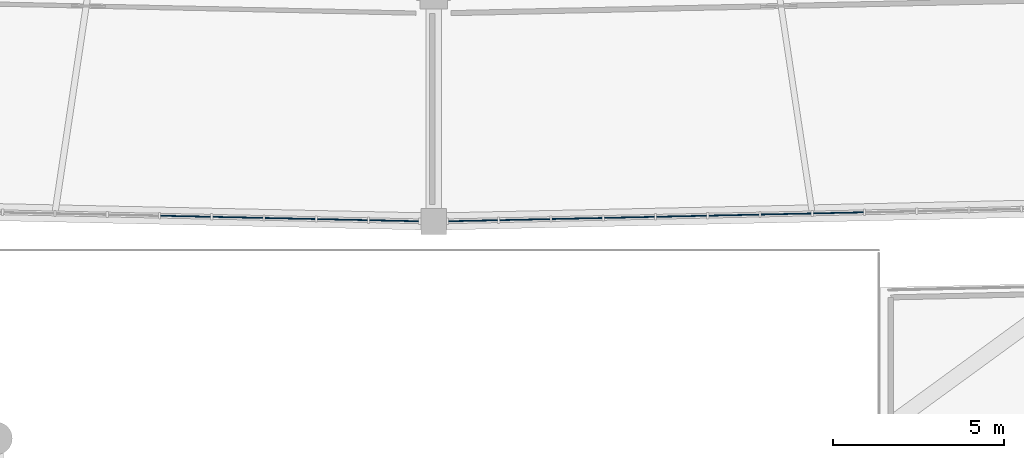
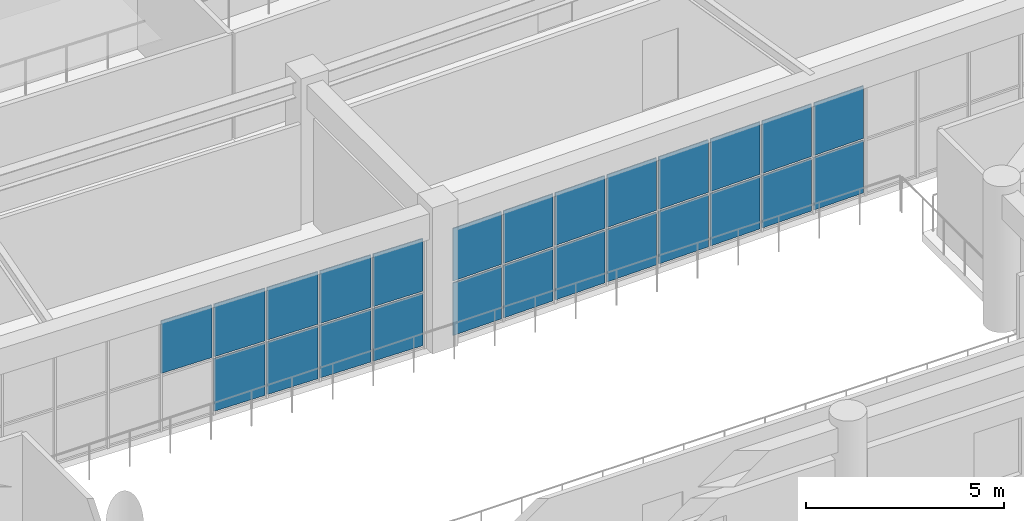
# One storey, part 74 of 141: 25 plates, 2 elements without a shape of their own.
"""IFC4 building model written with IfcOpenShell, lengths in metres."""

from ifc_helpers import new_model, si_unit, direction, frame, origin, origin_2d, place, context, subcontext, project, spatial, rectangle, extrude, material, layer, layer_set, type_object, element, aggregate, save


model = new_model("IFC4")

# Units and contexts
model_context = context("Model", 3, precision=1e-05, world=origin(), true_north=direction((0.0, 1.0)))
body_context = subcontext(model_context, "Body", "Model", "MODEL_VIEW")
ifc_project = project(units=[si_unit("LENGTHUNIT", "METRE"), si_unit("AREAUNIT", "SQUARE_METRE"), si_unit("VOLUMEUNIT", "CUBIC_METRE"), si_unit("PLANEANGLEUNIT", "RADIAN"), si_unit("MASSUNIT", "GRAM", prefix="KILO")], contexts=[model_context])

# Site, building, storey
site_placement = place(None, origin())
site = spatial("IfcSite", under=ifc_project, at=site_placement, CompositionType="ELEMENT")
building_placement = place(site_placement, origin())
building = spatial("IfcBuilding", under=site, at=building_placement, Name="Mphavela Belvedere Stadium", CompositionType="ELEMENT")
storey_placement = place(building_placement, frame((0.0, 0.0, 14.699951171875)))
storey = spatial("IfcBuildingStorey", under=building, at=storey_placement, Name="L03", CompositionType="ELEMENT", Elevation=14.699951171875)

# Curtain wall, plates
ifc_material_1 = material(Name="Anodised bronze unitised curtain wall framing")
ifc_layer_1 = layer(ifc_material_1, 0.205078125)
ifc_layer_set_1 = layer_set([ifc_layer_1], Name="Anodised bronze unitised curtain wall framing")
curtain_wall_type_1 = type_object("IfcCurtainWallType", Name="CW-UNIT-06", PredefinedType="USERDEFINED", material=ifc_layer_set_1)
curtain_wall_1_placement = place(storey_placement, origin())
curtain_wall_1 = element("IfcCurtainWall", 1, at=curtain_wall_1_placement, inside=storey, type_object=curtain_wall_type_1, Name="Belvedere colonnade curtain wall L03-36", ObjectType="UNITISED CURTAIN WALL", PredefinedType="USERDEFINED")
ifc_material_2 = material(Name="Solar-control double glazing", Category="glass")
ifc_layer_2 = layer(ifc_material_2, 0.031982421875)
ifc_layer_set_2 = layer_set([ifc_layer_2], Name="Solar-control double glazing")
plate_type = type_object("IfcPlateType", Name="CWP-SOLAR-GLASS", PredefinedType="CURTAIN_PANEL", material=ifc_layer_set_2)
plate_1_placement = place(storey_placement, frame((107.758544921875, 13.48583984375, 1.739990234375), z_axis=(0.0, 0.0, 1.0), x_axis=(0.999768179453, -0.02153107878, 0.0)))
plate_1 = element("IfcPlate", 2, at=plate_1_placement, type_object=plate_type, Name="CW-06 panel 10.2", PredefinedType="CURTAIN_PANEL", context=body_context, shape_type="SweptSolid", body=[
    extrude(rectangle(XDim=1.461669921875, YDim=0.031982421875, at=origin_2d()), origin(), (0.0, 0.0, 1.0), 1.6201171875),
])
plate_2_placement = place(storey_placement, frame((109.284912109375, 13.453125, 0.06005859375), z_axis=(0.0, 0.0, 1.0), x_axis=(0.999768179453, -0.02153107878, 0.0)))
plate_2 = element("IfcPlate", 3, at=plate_2_placement, type_object=plate_type, Name="CW-06 panel 11.1", PredefinedType="CURTAIN_PANEL", context=body_context, shape_type="SweptSolid", body=[
    extrude(rectangle(XDim=1.461669921875, YDim=0.031982421875, at=origin_2d()), origin(), (0.0, 0.0, 1.0), 1.6201171875),
])
plate_3_placement = place(storey_placement, frame((109.284912109375, 13.453125, 1.739990234375), z_axis=(0.0, 0.0, 1.0), x_axis=(0.999768179453, -0.02153107878, 0.0)))
plate_3 = element("IfcPlate", 4, at=plate_3_placement, type_object=plate_type, Name="CW-06 panel 11.2", PredefinedType="CURTAIN_PANEL", context=body_context, shape_type="SweptSolid", body=[
    extrude(rectangle(XDim=1.461669921875, YDim=0.031982421875, at=origin_2d()), origin(), (0.0, 0.0, 1.0), 1.6201171875),
])
plate_4_placement = place(storey_placement, frame((110.811279296875, 13.420166015625, 0.06005859375), z_axis=(0.0, 0.0, 1.0), x_axis=(0.999768179453, -0.02153107878, 0.0)))
plate_4 = element("IfcPlate", 5, at=plate_4_placement, type_object=plate_type, Name="CW-06 panel 12.1", PredefinedType="CURTAIN_PANEL", context=body_context, shape_type="SweptSolid", body=[
    extrude(rectangle(XDim=1.461669921875, YDim=0.031982421875, at=origin_2d()), origin(), (0.0, 0.0, 1.0), 1.6201171875),
])
plate_5_placement = place(storey_placement, frame((110.811279296875, 13.420166015625, 1.739990234375), z_axis=(0.0, 0.0, 1.0), x_axis=(0.999768179453, -0.02153107878, 0.0)))
plate_5 = element("IfcPlate", 6, at=plate_5_placement, type_object=plate_type, Name="CW-06 panel 12.2", PredefinedType="CURTAIN_PANEL", context=body_context, shape_type="SweptSolid", body=[
    extrude(rectangle(XDim=1.461669921875, YDim=0.031982421875, at=origin_2d()), origin(), (0.0, 0.0, 1.0), 1.6201171875),
])
plate_6_placement = place(storey_placement, frame((112.337646484375, 13.38720703125, 0.06005859375), z_axis=(0.0, 0.0, 1.0), x_axis=(0.999768179453, -0.02153107878, 0.0)))
plate_6 = element("IfcPlate", 7, at=plate_6_placement, type_object=plate_type, Name="CW-06 panel 13.1", PredefinedType="CURTAIN_PANEL", context=body_context, shape_type="SweptSolid", body=[
    extrude(rectangle(XDim=1.461669921875, YDim=0.031982421875, at=origin_2d()), origin(), (0.0, 0.0, 1.0), 1.6201171875),
])
plate_7_placement = place(storey_placement, frame((112.337646484375, 13.38720703125, 1.739990234375), z_axis=(0.0, 0.0, 1.0), x_axis=(0.999768179453, -0.02153107878, 0.0)))
plate_7 = element("IfcPlate", 8, at=plate_7_placement, type_object=plate_type, Name="CW-06 panel 13.2", PredefinedType="CURTAIN_PANEL", context=body_context, shape_type="SweptSolid", body=[
    extrude(rectangle(XDim=1.461669921875, YDim=0.031982421875, at=origin_2d()), origin(), (0.0, 0.0, 1.0), 1.6201171875),
])
plate_8_placement = place(storey_placement, frame((113.84765625, 13.354736328125, 0.06005859375), z_axis=(0.0, 0.0, 1.0), x_axis=(0.999768179453, -0.02153107878, 0.0)))
plate_8 = element("IfcPlate", 9, at=plate_8_placement, type_object=plate_type, Name="CW-06 panel 14.1", PredefinedType="CURTAIN_PANEL", context=body_context, shape_type="SweptSolid", body=[
    extrude(rectangle(XDim=1.42919921875, YDim=0.031982421875, at=origin_2d()), origin(), (0.0, 0.0, 1.0), 1.6201171875),
])
plate_9_placement = place(storey_placement, frame((113.84765625, 13.354736328125, 1.739990234375), z_axis=(0.0, 0.0, 1.0), x_axis=(0.999768179453, -0.02153107878, 0.0)))
plate_9 = element("IfcPlate", 10, at=plate_9_placement, type_object=plate_type, Name="CW-06 panel 14.2", PredefinedType="CURTAIN_PANEL", context=body_context, shape_type="SweptSolid", body=[
    extrude(rectangle(XDim=1.42919921875, YDim=0.031982421875, at=origin_2d()), origin(), (0.0, 0.0, 1.0), 1.6201171875),
])
aggregate(curtain_wall_1, [plate_1, plate_2, plate_3, plate_4, plate_5, plate_6, plate_7, plate_8, plate_9])

ifc_material_3 = material(Name="Anodised bronze unitised curtain wall framing")
ifc_layer_3 = layer(ifc_material_3, 0.179931640625)
ifc_layer_set_3 = layer_set([ifc_layer_3], Name="Anodised bronze unitised curtain wall framing")
curtain_wall_type_2 = type_object("IfcCurtainWallType", Name="CW-UNIT-01", PredefinedType="USERDEFINED", material=ifc_layer_set_3)
curtain_wall_2_placement = place(storey_placement, origin())
curtain_wall_2 = element("IfcCurtainWall", 11, at=curtain_wall_2_placement, inside=storey, type_object=curtain_wall_type_2, Name="Belvedere colonnade curtain wall L03-37", ObjectType="UNITISED CURTAIN WALL", PredefinedType="USERDEFINED")
plate_10_placement = place(storey_placement, frame((116.15234375, 13.354736328125, 0.06005859375), z_axis=(0.0, 0.0, 1.0), x_axis=(0.999768179453, 0.02153107878, 0.0)))
plate_10 = element("IfcPlate", 12, at=plate_10_placement, type_object=plate_type, Name="CW-01 panel 1.1", PredefinedType="CURTAIN_PANEL", context=body_context, shape_type="SweptSolid", body=[
    extrude(rectangle(XDim=1.42919921875, YDim=0.031982421875, at=origin_2d()), origin(), (0.0, 0.0, 1.0), 1.6201171875),
])
plate_11_placement = place(storey_placement, frame((116.15234375, 13.354736328125, 1.739990234375), z_axis=(0.0, 0.0, 1.0), x_axis=(0.999768179453, 0.02153107878, 0.0)))
plate_11 = element("IfcPlate", 13, at=plate_11_placement, type_object=plate_type, Name="CW-01 panel 1.2", PredefinedType="CURTAIN_PANEL", context=body_context, shape_type="SweptSolid", body=[
    extrude(rectangle(XDim=1.42919921875, YDim=0.031982421875, at=origin_2d()), origin(), (0.0, 0.0, 1.0), 1.6201171875),
])
plate_12_placement = place(storey_placement, frame((117.662353515625, 13.38720703125, 0.06005859375), z_axis=(0.0, 0.0, 1.0), x_axis=(0.999768179453, 0.02153107878, 0.0)))
plate_12 = element("IfcPlate", 14, at=plate_12_placement, type_object=plate_type, Name="CW-01 panel 2.1", PredefinedType="CURTAIN_PANEL", context=body_context, shape_type="SweptSolid", body=[
    extrude(rectangle(XDim=1.461669921875, YDim=0.031982421875, at=origin_2d()), origin(), (0.0, 0.0, 1.0), 1.6201171875),
])
plate_13_placement = place(storey_placement, frame((117.662353515625, 13.38720703125, 1.739990234375), z_axis=(0.0, 0.0, 1.0), x_axis=(0.999768179453, 0.02153107878, 0.0)))
plate_13 = element("IfcPlate", 15, at=plate_13_placement, type_object=plate_type, Name="CW-01 panel 2.2", PredefinedType="CURTAIN_PANEL", context=body_context, shape_type="SweptSolid", body=[
    extrude(rectangle(XDim=1.461669921875, YDim=0.031982421875, at=origin_2d()), origin(), (0.0, 0.0, 1.0), 1.6201171875),
])
plate_14_placement = place(storey_placement, frame((119.188720703125, 13.420166015625, 0.06005859375), z_axis=(0.0, 0.0, 1.0), x_axis=(0.999768179453, 0.02153107878, 0.0)))
plate_14 = element("IfcPlate", 16, at=plate_14_placement, type_object=plate_type, Name="CW-01 panel 3.1", PredefinedType="CURTAIN_PANEL", context=body_context, shape_type="SweptSolid", body=[
    extrude(rectangle(XDim=1.461669921875, YDim=0.031982421875, at=origin_2d()), origin(), (0.0, 0.0, 1.0), 1.6201171875),
])
plate_15_placement = place(storey_placement, frame((119.188720703125, 13.420166015625, 1.739990234375), z_axis=(0.0, 0.0, 1.0), x_axis=(0.999768179453, 0.02153107878, 0.0)))
plate_15 = element("IfcPlate", 17, at=plate_15_placement, type_object=plate_type, Name="CW-01 panel 3.2", PredefinedType="CURTAIN_PANEL", context=body_context, shape_type="SweptSolid", body=[
    extrude(rectangle(XDim=1.461669921875, YDim=0.031982421875, at=origin_2d()), origin(), (0.0, 0.0, 1.0), 1.6201171875),
])
plate_16_placement = place(storey_placement, frame((120.715087890625, 13.453125, 0.06005859375), z_axis=(0.0, 0.0, 1.0), x_axis=(0.999768179453, 0.02153107878, 0.0)))
plate_16 = element("IfcPlate", 18, at=plate_16_placement, type_object=plate_type, Name="CW-01 panel 4.1", PredefinedType="CURTAIN_PANEL", context=body_context, shape_type="SweptSolid", body=[
    extrude(rectangle(XDim=1.461669921875, YDim=0.031982421875, at=origin_2d()), origin(), (0.0, 0.0, 1.0), 1.6201171875),
])
plate_17_placement = place(storey_placement, frame((120.715087890625, 13.453125, 1.739990234375), z_axis=(0.0, 0.0, 1.0), x_axis=(0.999768179453, 0.02153107878, 0.0)))
plate_17 = element("IfcPlate", 19, at=plate_17_placement, type_object=plate_type, Name="CW-01 panel 4.2", PredefinedType="CURTAIN_PANEL", context=body_context, shape_type="SweptSolid", body=[
    extrude(rectangle(XDim=1.461669921875, YDim=0.031982421875, at=origin_2d()), origin(), (0.0, 0.0, 1.0), 1.6201171875),
])
plate_18_placement = place(storey_placement, frame((122.241455078125, 13.48583984375, 0.06005859375), z_axis=(0.0, 0.0, 1.0), x_axis=(0.999768179453, 0.02153107878, 0.0)))
plate_18 = element("IfcPlate", 20, at=plate_18_placement, type_object=plate_type, Name="CW-01 panel 5.1", PredefinedType="CURTAIN_PANEL", context=body_context, shape_type="SweptSolid", body=[
    extrude(rectangle(XDim=1.461669921875, YDim=0.031982421875, at=origin_2d()), origin(), (0.0, 0.0, 1.0), 1.6201171875),
])
plate_19_placement = place(storey_placement, frame((122.241455078125, 13.48583984375, 1.739990234375), z_axis=(0.0, 0.0, 1.0), x_axis=(0.999768179453, 0.02153107878, 0.0)))
plate_19 = element("IfcPlate", 21, at=plate_19_placement, type_object=plate_type, Name="CW-01 panel 5.2", PredefinedType="CURTAIN_PANEL", context=body_context, shape_type="SweptSolid", body=[
    extrude(rectangle(XDim=1.461669921875, YDim=0.031982421875, at=origin_2d()), origin(), (0.0, 0.0, 1.0), 1.6201171875),
])
plate_20_placement = place(storey_placement, frame((123.767822265625, 13.518798828125, 0.06005859375), z_axis=(0.0, 0.0, 1.0), x_axis=(0.999768179453, 0.02153107878, 0.0)))
plate_20 = element("IfcPlate", 22, at=plate_20_placement, type_object=plate_type, Name="CW-01 panel 6.1", PredefinedType="CURTAIN_PANEL", context=body_context, shape_type="SweptSolid", body=[
    extrude(rectangle(XDim=1.461669921875, YDim=0.031982421875, at=origin_2d()), origin(), (0.0, 0.0, 1.0), 1.6201171875),
])
plate_21_placement = place(storey_placement, frame((123.767822265625, 13.518798828125, 1.739990234375), z_axis=(0.0, 0.0, 1.0), x_axis=(0.999768179453, 0.02153107878, 0.0)))
plate_21 = element("IfcPlate", 23, at=plate_21_placement, type_object=plate_type, Name="CW-01 panel 6.2", PredefinedType="CURTAIN_PANEL", context=body_context, shape_type="SweptSolid", body=[
    extrude(rectangle(XDim=1.461669921875, YDim=0.031982421875, at=origin_2d()), origin(), (0.0, 0.0, 1.0), 1.6201171875),
])
plate_22_placement = place(storey_placement, frame((125.294189453125, 13.5517578125, 0.06005859375), z_axis=(0.0, 0.0, 1.0), x_axis=(0.999768179453, 0.02153107878, 0.0)))
plate_22 = element("IfcPlate", 24, at=plate_22_placement, type_object=plate_type, Name="CW-01 panel 7.1", PredefinedType="CURTAIN_PANEL", context=body_context, shape_type="SweptSolid", body=[
    extrude(rectangle(XDim=1.461669921875, YDim=0.031982421875, at=origin_2d()), origin(), (0.0, 0.0, 1.0), 1.6201171875),
])
plate_23_placement = place(storey_placement, frame((125.294189453125, 13.5517578125, 1.739990234375), z_axis=(0.0, 0.0, 1.0), x_axis=(0.999768179453, 0.02153107878, 0.0)))
plate_23 = element("IfcPlate", 25, at=plate_23_placement, type_object=plate_type, Name="CW-01 panel 7.2", PredefinedType="CURTAIN_PANEL", context=body_context, shape_type="SweptSolid", body=[
    extrude(rectangle(XDim=1.461669921875, YDim=0.031982421875, at=origin_2d()), origin(), (0.0, 0.0, 1.0), 1.6201171875),
])
plate_24_placement = place(storey_placement, frame((126.820556640625, 13.58447265625, 0.06005859375), z_axis=(0.0, 0.0, 1.0), x_axis=(0.999768179453, 0.02153107878, 0.0)))
plate_24 = element("IfcPlate", 26, at=plate_24_placement, type_object=plate_type, Name="CW-01 panel 8.1", PredefinedType="CURTAIN_PANEL", context=body_context, shape_type="SweptSolid", body=[
    extrude(rectangle(XDim=1.461669921875, YDim=0.031982421875, at=origin_2d()), origin(), (0.0, 0.0, 1.0), 1.6201171875),
])
plate_25_placement = place(storey_placement, frame((126.820556640625, 13.58447265625, 1.739990234375), z_axis=(0.0, 0.0, 1.0), x_axis=(0.999768179453, 0.02153107878, 0.0)))
plate_25 = element("IfcPlate", 27, at=plate_25_placement, type_object=plate_type, Name="CW-01 panel 8.2", PredefinedType="CURTAIN_PANEL", context=body_context, shape_type="SweptSolid", body=[
    extrude(rectangle(XDim=1.461669921875, YDim=0.031982421875, at=origin_2d()), origin(), (0.0, 0.0, 1.0), 1.6201171875),
])
aggregate(curtain_wall_2, [plate_10, plate_11, plate_12, plate_13, plate_14, plate_15, plate_16, plate_17, plate_18, plate_19, plate_20, plate_21, plate_22, plate_23, plate_24, plate_25])

save(model, "model.ifc")
